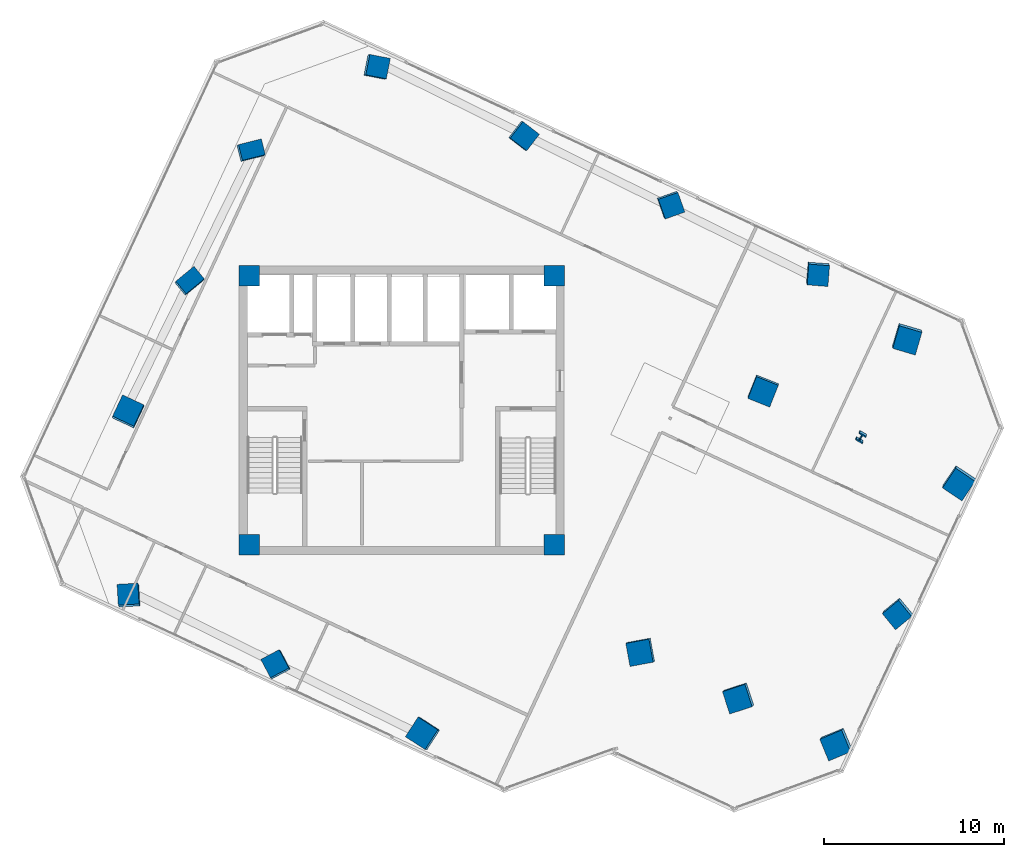
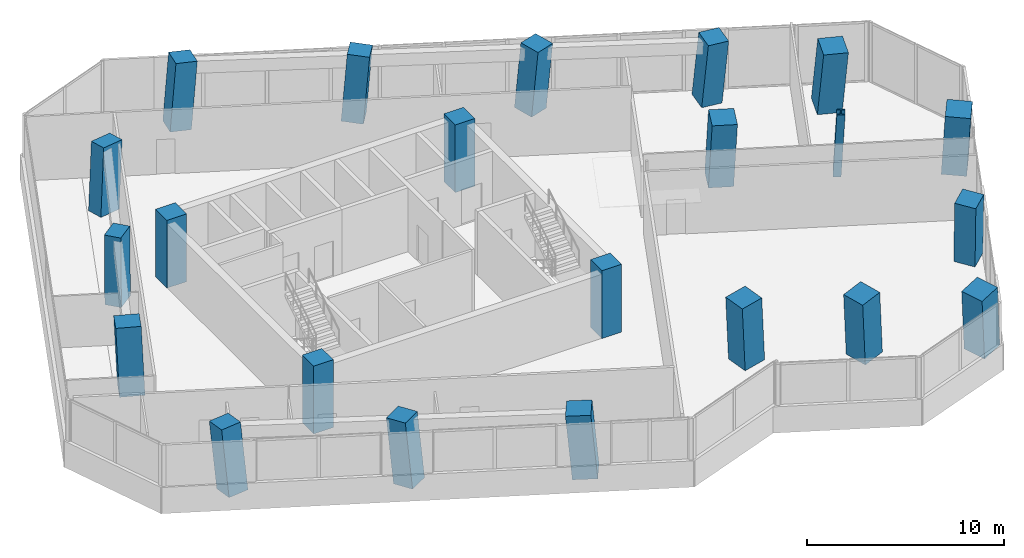
# One storey, part 1 of 23: 22 columns.
"""IFC4 building model written with IfcOpenShell, lengths in metres."""

from ifc_helpers import new_model, si_unit, direction, frame, origin, origin_2d, place, context, subcontext, project, spatial, rectangle, i_section, extrude, clip, halfspace, source, transform, mapped, material, material_profile, profile_set, type_object, element, save


model = new_model("IFC4")

# Units and contexts
model_context = context("Model", 3, precision=1e-05, world=origin(), true_north=direction((0.0, 1.0)))
body_context = subcontext(model_context, "Body", "Model", "MODEL_VIEW")
ifc_project = project(units=[si_unit("LENGTHUNIT", "METRE"), si_unit("AREAUNIT", "SQUARE_METRE"), si_unit("VOLUMEUNIT", "CUBIC_METRE"), si_unit("PLANEANGLEUNIT", "RADIAN"), si_unit("MASSUNIT", "GRAM", prefix="KILO")], contexts=[model_context])

# Site, building, storey
site_placement = place(None, origin())
site = spatial("IfcSite", under=ifc_project, at=site_placement, CompositionType="ELEMENT")
building_placement = place(site_placement, origin())
building = spatial("IfcBuilding", under=site, at=building_placement, Name="Torre Montelarca", CompositionType="ELEMENT")
storey_placement = place(building_placement, frame((0.0, 0.0, 158.199951171875)))
storey = spatial("IfcBuildingStorey", under=building, at=storey_placement, Name="L35", CompositionType="ELEMENT", Elevation=158.199951171875)

# Columns
ifc_material_1 = material(Name="Concrete C55/67", Category="concrete")
ifc_material_profile_1 = material_profile(ifc_material_1, rectangle(XDim=0.89990234375, YDim=1.300048828125, at=origin_2d()), Name="RC1300X900", Category="concrete")
ifc_profile_set_1 = profile_set([ifc_material_profile_1], Name="Concrete C55/67")
column_type_1 = type_object("IfcColumnType", Name="COL-PIL1300-EXT", PredefinedType="PILASTER", material=ifc_profile_set_1)
column_1_placement = place(storey_placement, frame((6.228759765625, 39.12109375, 0.0), z_axis=(0.037698062692, 0.078638969486, 0.996190126706), x_axis=(0.635262052189, -0.771416737954, 0.036855684135)))
element("IfcColumn", 1, at=column_1_placement, inside=storey, type_object=column_type_1, Name="L35 Column 1W/E", PredefinedType="PILASTER", context=body_context, shape_type="Clipping", body=[
    clip(clip(extrude(rectangle(XDim=0.89990234375, YDim=1.300048828125, at=origin_2d()), origin(), (0.0, 0.0, 1.0), 4.216064453125), halfspace(frame((0.0, 0.0, 0.06884765625), z_axis=(0.0, 0.0, -1.0), x_axis=(1.0, 0.0, 0.0)), False)), halfspace(frame((0.0, 0.0, 4.147216796875), z_axis=(0.0, 0.0, 1.0), x_axis=(1.0, 0.0, 0.0)), False)),
])
column_2_placement = place(storey_placement, frame((9.609619140625, 46.37158203125, 0.0), z_axis=(0.074984591615, 0.060635688281, 0.995339451809), x_axis=(0.242783747421, -0.969223981277, 0.040754461182)))
element("IfcColumn", 2, at=column_2_placement, inside=storey, type_object=column_type_1, Name="L35 Column 1W/F", PredefinedType="PILASTER", context=body_context, shape_type="Clipping", body=[
    clip(clip(extrude(rectangle(XDim=0.89990234375, YDim=1.300048828125, at=origin_2d()), origin(), (0.0, 0.0, 1.0), 4.2197265625), halfspace(frame((0.0, 0.0, 0.076171875), z_axis=(0.0, 0.0, -1.0), x_axis=(1.0, 0.0, 0.0)), False)), halfspace(frame((0.0, 0.0, 4.1435546875), z_axis=(0.0, 0.0, 1.0), x_axis=(1.0, 0.0, 0.0)), False)),
])
ifc_material_profile_2 = material_profile(ifc_material_1, rectangle(XDim=1.14990234375, YDim=1.14990234375, at=origin_2d()), Name="RC1150X1150", Category="concrete")
ifc_profile_set_2 = profile_set([ifc_material_profile_2], Name="Concrete C55/67")
column_type_2 = type_object("IfcColumnType", Name="COL-RC1150-EXT", PredefinedType="COLUMN", material=ifc_profile_set_2)
column_3_placement = place(storey_placement, frame((2.902099609375, 21.694091796875, 0.0), z_axis=(-0.052173508462, 0.096604768715, 0.993954447486), x_axis=(0.9970543434, 0.061070597403, 0.046400629729)))
element("IfcColumn", 3, at=column_3_placement, inside=storey, type_object=column_type_2, Name="L35 Column 2/CS", PredefinedType="COLUMN", context=body_context, shape_type="Clipping", body=[
    clip(clip(extrude(rectangle(XDim=1.14990234375, YDim=1.14990234375, at=origin_2d()), origin(), (0.0, 0.0, 1.0), 4.2255859375), halfspace(frame((0.0, 0.0, 0.085205078125), z_axis=(0.0, 0.0, -1.0), x_axis=(1.0, 0.0, 0.0)), False)), halfspace(frame((0.0, 0.0, 4.140380859375), z_axis=(0.0, 0.0, 1.0), x_axis=(1.0, 0.0, 0.0)), False)),
])
column_4_placement = place(storey_placement, frame((16.57373046875, 51.01318359375, 0.0), z_axis=(0.098540759891, 0.024403873635, 0.994833739673), x_axis=(-0.190238417306, -0.980800009902, 0.04290320684)))
element("IfcColumn", 4, at=column_4_placement, inside=storey, type_object=column_type_2, Name="L35 Column 2/GN", PredefinedType="COLUMN", context=body_context, shape_type="Clipping", body=[
    clip(clip(extrude(rectangle(XDim=1.14990234375, YDim=1.14990234375, at=origin_2d()), origin(), (0.0, 0.0, 1.0), 4.2216796875), halfspace(frame((0.0, 0.0, 0.07861328125), z_axis=(0.0, 0.0, -1.0), x_axis=(1.0, 0.0, 0.0)), False)), halfspace(frame((0.0, 0.0, 4.14306640625), z_axis=(0.0, 0.0, 1.0), x_axis=(1.0, 0.0, 0.0)), False)),
])
column_5_placement = place(storey_placement, frame((11.058837890625, 17.890625, 0.0), z_axis=(-0.072361701671, 0.054821225186, 0.995870683071), x_axis=(0.882762810031, 0.468249744812, 0.038366622345)))
element("IfcColumn", 5, at=column_5_placement, inside=storey, type_object=column_type_2, Name="L35 Column 3/CS", PredefinedType="COLUMN", context=body_context, shape_type="Clipping", body=[
    clip(clip(extrude(rectangle(XDim=1.14990234375, YDim=1.14990234375, at=origin_2d()), origin(), (0.0, 0.0, 1.0), 4.21728515625), halfspace(frame((0.0, 0.0, 0.0703125), z_axis=(0.0, 0.0, -1.0), x_axis=(1.0, 0.0, 0.0)), False)), halfspace(frame((0.0, 0.0, 4.14697265625), z_axis=(0.0, 0.0, 1.0), x_axis=(1.0, 0.0, 0.0)), False)),
])
column_6_placement = place(storey_placement, frame((24.730712890625, 47.209716796875, 0.0), z_axis=(0.078509951606, -0.017614040803, 0.996757710312), x_axis=(-0.609432467113, -0.792108426647, 0.034004535909)))
element("IfcColumn", 6, at=column_6_placement, inside=storey, type_object=column_type_2, Name="L35 Column 3/GN", PredefinedType="COLUMN", context=body_context, shape_type="Clipping", body=[
    clip(clip(extrude(rectangle(XDim=1.14990234375, YDim=1.14990234375, at=origin_2d()), origin(), (0.0, 0.0, 1.0), 4.213623046875), halfspace(frame((0.0, 0.0, 0.0625), z_axis=(0.0, 0.0, -1.0), x_axis=(1.0, 0.0, 0.0)), False)), halfspace(frame((0.0, 0.0, 4.151123046875), z_axis=(0.0, 0.0, 1.0), x_axis=(1.0, 0.0, 0.0)), False)),
])
column_7_placement = place(storey_placement, frame((32.887451171875, 43.40625, 0.0), z_axis=(0.058390097593, -0.059606557959, 0.996512746909), x_axis=(-0.942137163115, -0.333367736718, 0.035263550505)))
element("IfcColumn", 7, at=column_7_placement, inside=storey, type_object=column_type_2, Name="L35 Column 4/GN", PredefinedType="COLUMN", context=body_context, shape_type="Clipping", body=[
    clip(clip(extrude(rectangle(XDim=1.14990234375, YDim=1.14990234375, at=origin_2d()), origin(), (0.0, 0.0, 1.0), 4.214599609375), halfspace(frame((0.0, 0.0, 0.064697265625), z_axis=(0.0, 0.0, -1.0), x_axis=(1.0, 0.0, 0.0)), False)), halfspace(frame((0.0, 0.0, 4.14990234375), z_axis=(0.0, 0.0, 1.0), x_axis=(1.0, 0.0, 0.0)), False)),
])
column_8_placement = place(storey_placement, frame((41.044189453125, 39.6025390625, 0.0), z_axis=(0.038139756449, -0.101359292139, 0.994118530596), x_axis=(-0.996204703506, 0.074036702097, 0.045768498506)))
element("IfcColumn", 8, at=column_8_placement, inside=storey, type_object=column_type_2, Name="L35 Column 5/GN", PredefinedType="COLUMN", context=body_context, shape_type="Clipping", body=[
    clip(clip(extrude(rectangle(XDim=1.14990234375, YDim=1.14990234375, at=origin_2d()), origin(), (0.0, 0.0, 1.0), 4.224853515625), halfspace(frame((0.0, 0.0, 0.083984375), z_axis=(0.0, 0.0, -1.0), x_axis=(1.0, 0.0, 0.0)), False)), halfspace(frame((0.0, 0.0, 4.140869140625), z_axis=(0.0, 0.0, 1.0), x_axis=(1.0, 0.0, 0.0)), False)),
])
column_9_placement = place(storey_placement, frame((45.51708984375, 20.800537109375, 0.0), z_axis=(-0.058968527482, -0.122947076342, 0.990659744406), x_axis=(-0.636119850373, 0.769435288121, 0.05762701932)))
element("IfcColumn", 9, at=column_9_placement, inside=storey, type_object=column_type_2, Name="L35 Column 7/E", PredefinedType="COLUMN", context=body_context, shape_type="Clipping", body=[
    clip(clip(extrude(rectangle(XDim=1.14990234375, YDim=1.14990234375, at=origin_2d()), origin(), (0.0, 0.0, 1.0), 4.239501953125), halfspace(frame((0.0, 0.0, 0.10595703125), z_axis=(0.0, 0.0, -1.0), x_axis=(1.0, 0.0, 0.0)), False)), halfspace(frame((0.0, 0.0, 4.133544921875), z_axis=(0.0, 0.0, 1.0), x_axis=(1.0, 0.0, 0.0)), False)),
])
ifc_material_2 = material(Name="Concrete C70/85", Category="concrete")
ifc_material_profile_3 = material_profile(ifc_material_2, rectangle(XDim=1.300048828125, YDim=1.300048828125, at=origin_2d()), Name="RC1300X1300", Category="concrete")
ifc_profile_set_3 = profile_set([ifc_material_profile_3], Name="Concrete C70/85")
column_type_3 = type_object("IfcColumnType", Name="COL-RC1300", PredefinedType="COLUMN", material=ifc_profile_set_3)
for number, where, z_axis, x_axis, name in (
    (10, (31.260498046875, 18.62158203125, 0.0), (-0.069788190522, -0.049749423783, 0.996320532408), (-0.18322145328, 0.982404176345, 0.036220620606), "L35 Column 5/D"),
    (11, (38.0224609375, 33.12255859375, 0.0), (0.004864889576, -0.085598890399, 0.996317802115), (-0.928739514699, 0.368958004081, 0.036234031812), "L35 Column 5/F"),
):
    element("IfcColumn", number, at=place(storey_placement, frame(where, z_axis=z_axis, x_axis=x_axis)), inside=storey, type_object=column_type_3, Name=name, PredefinedType="COLUMN", context=body_context, shape_type="Clipping", body=[
        clip(clip(extrude(rectangle(XDim=1.300048828125, YDim=1.300048828125, at=origin_2d()), origin(), (0.0, 0.0, 1.0), 4.215576171875), halfspace(frame((0.0, 0.0, 0.074951171875), z_axis=(0.0, 0.0, -1.0), x_axis=(1.0, 0.0, 0.0)), False)), halfspace(frame((0.0, 0.0, 4.140625), z_axis=(0.0, 0.0, 1.0), x_axis=(1.0, 0.0, 0.0)), False)),
    ])
column_10_placement = place(storey_placement, frame((36.698486328125, 16.0859375, 0.0), z_axis=(-0.082991265624, -0.077562470239, 0.993527308654), x_axis=(-0.312067697366, 0.948846199102, 0.04800669443)))
element("IfcColumn", 12, at=column_10_placement, inside=storey, type_object=column_type_3, Name="L35 Column 6/D", PredefinedType="COLUMN", context=body_context, shape_type="Clipping", body=[
    clip(clip(extrude(rectangle(XDim=1.300048828125, YDim=1.300048828125, at=origin_2d()), origin(), (0.0, 0.0, 1.0), 4.227294921875), halfspace(frame((0.0, 0.0, 0.099365234375), z_axis=(0.0, 0.0, -1.0), x_axis=(1.0, 0.0, 0.0)), False)), halfspace(frame((0.0, 0.0, 4.1279296875), z_axis=(0.0, 0.0, 1.0), x_axis=(1.0, 0.0, 0.0)), False)),
])
column_11_placement = place(storey_placement, frame((45.99609375, 36.024658203125, 0.0), z_axis=(0.019313420734, -0.126430840804, 0.991787393685), x_axis=(-0.959209091599, 0.277482108063, 0.054051811235)))
element("IfcColumn", 13, at=column_11_placement, inside=storey, type_object=column_type_3, Name="L35 Column 6/G", PredefinedType="COLUMN", context=body_context, shape_type="Clipping", body=[
    clip(clip(extrude(rectangle(XDim=1.300048828125, YDim=1.300048828125, at=origin_2d()), origin(), (0.0, 0.0, 1.0), 4.234619140625), halfspace(frame((0.0, 0.0, 0.112060546875), z_axis=(0.0, 0.0, -1.0), x_axis=(1.0, 0.0, 0.0)), False)), halfspace(frame((0.0, 0.0, 4.12255859375), z_axis=(0.0, 0.0, 1.0), x_axis=(1.0, 0.0, 0.0)), False)),
])
ifc_material_profile_4 = material_profile(ifc_material_2, rectangle(XDim=1.300048828125, YDim=1.300048828125, at=origin_2d()), Name="RC1300X1300", Category="concrete")
ifc_profile_set_4 = profile_set([ifc_material_profile_4], Name="Concrete C70/85")
column_type_4 = type_object("IfcColumnType", Name="COL-RC1300-EXT", PredefinedType="COLUMN", material=ifc_profile_set_4)
column_12_placement = place(storey_placement, frame((19.2158203125, 14.087158203125, 0.0), z_axis=(-0.092542400719, 0.012790413107, 0.995626591349), x_axis=(0.540890321922, 0.84016595982, 0.039481889649)))
element("IfcColumn", 14, at=column_12_placement, inside=storey, type_object=column_type_4, Name="L35 Column 4/CS", PredefinedType="COLUMN", context=body_context, shape_type="Clipping", body=[
    clip(clip(extrude(rectangle(XDim=1.300048828125, YDim=1.300048828125, at=origin_2d()), origin(), (0.0, 0.0, 1.0), 4.218505859375), halfspace(frame((0.0, 0.0, 0.081787109375), z_axis=(0.0, 0.0, -1.0), x_axis=(1.0, 0.0, 0.0)), False)), halfspace(frame((0.0, 0.0, 4.13671875), z_axis=(0.0, 0.0, 1.0), x_axis=(1.0, 0.0, 0.0)), False)),
])
for number, where, z_axis, x_axis, name in (
    (15, (42.13623046875, 13.55029296875, 0.0), (-0.096030134675, -0.105063526612, 0.989818098748), (-0.386748392781, 0.920221221066, 0.06015467547), "L35 Column 7/D"),
    (16, (48.898193359375, 28.051025390625, 0.0), (-0.021864344018, -0.140622254685, 0.989821868797), (-0.831278676398, 0.552592535403, 0.060143594692), "L35 Column 7/F"),
):
    element("IfcColumn", number, at=place(storey_placement, frame(where, z_axis=z_axis, x_axis=x_axis)), inside=storey, type_object=column_type_4, Name=name, PredefinedType="COLUMN", context=body_context, shape_type="Clipping", body=[
        clip(clip(extrude(rectangle(XDim=1.300048828125, YDim=1.300048828125, at=origin_2d()), origin(), (0.0, 0.0, 1.0), 4.2431640625), halfspace(frame((0.0, 0.0, 0.125), z_axis=(0.0, 0.0, -1.0), x_axis=(1.0, 0.0, 0.0)), False)), halfspace(frame((0.0, 0.0, 4.1181640625), z_axis=(0.0, 0.0, 1.0), x_axis=(1.0, 0.0, 0.0)), False)),
    ])
column_13_placement = place(storey_placement, frame((2.847900390625, 31.87060546875, 0.0), z_axis=(0.000347150303, 0.096449925889, 0.995337777482), x_axis=(0.904787896664, -0.423907231175, 0.040761764052)))
element("IfcColumn", 17, at=column_13_placement, inside=storey, type_object=column_type_4, Name="L35 Column 1W/D", PredefinedType="COLUMN", context=body_context, shape_type="Clipping", body=[
    clip(clip(extrude(rectangle(XDim=1.300048828125, YDim=1.300048828125, at=origin_2d()), origin(), (0.0, 0.0, 1.0), 4.2197265625), halfspace(frame((0.0, 0.0, 0.08447265625), z_axis=(0.0, 0.0, -1.0), x_axis=(1.0, 0.0, 0.0)), False)), halfspace(frame((0.0, 0.0, 4.13525390625), z_axis=(0.0, 0.0, 1.0), x_axis=(1.0, 0.0, 0.0)), False)),
])
ifc_material_3 = material(Name="Steel ASTM A992 Grade 50", Category="steel")
ifc_material_profile_5 = material_profile(ifc_material_3, i_section(OverallWidth=0.4208984375, OverallDepth=0.465087890625, WebThickness=0.044921875, FlangeThickness=0.072265625, FilletRadius=0.014892578125, at=origin_2d()), Name="W360X592", Category="steel")
ifc_profile_set_5 = profile_set([ifc_material_profile_5], Name="Steel ASTM A992 Grade 50")
column_type_5 = type_object("IfcColumnType", Name="COL-W360X592", PredefinedType="COLUMN", material=ifc_profile_set_5)
column_14_placement = place(storey_placement, frame((43.460205078125, 30.5869140625, 0.0), z_axis=(-0.008489733, -0.113254193287, 0.993529774157), x_axis=(-0.87238491172, 0.486457395979, 0.04799758016)))
element("IfcColumn", 18, at=column_14_placement, inside=storey, type_object=column_type_5, Name="L35 Column 6/F", PredefinedType="COLUMN", context=body_context, shape_type="Clipping", body=[
    clip(clip(extrude(i_section(OverallWidth=0.4208984375, OverallDepth=0.465087890625, WebThickness=0.044921875, FlangeThickness=0.072265625, FilletRadius=0.014892578125, at=origin_2d()), origin(), (0.0, 0.0, 1.0), 4.227294921875), halfspace(frame((0.0, 0.0, 0.034912109375), z_axis=(0.0, 0.0, -1.0), x_axis=(1.0, 0.0, 0.0)), False)), halfspace(frame((0.0, 0.0, 4.1923828125), z_axis=(0.0, 0.0, 1.0), x_axis=(1.0, 0.0, 0.0)), False)),
])
ifc_material_profile_6 = material_profile(ifc_material_1, rectangle(XDim=1.14990234375, YDim=1.14990234375, at=origin_2d()), Name="RC1150X1150", Category="concrete")
ifc_profile_set_6 = profile_set([ifc_material_profile_6], Name="Concrete C55/67")
column_type_6 = type_object("IfcColumnType", Name="COL-RC1150", PredefinedType="COLUMN", material=ifc_profile_set_6)
shared_shape = source(origin(), body_context, "Body", "SweptSolid", [
    extrude(rectangle(XDim=1.14990234375, YDim=1.14990234375, at=origin_2d()), origin(), (0.0, 0.0, 1.0), 4.198486328125),
])
for number, where, z_axis, x_axis, name in (
    (19, (9.550048828125, 24.550048828125, 0.000732421875), (0.0, 0.0, 1.0), (1.0, 0.0, 0.0), "L35 Plumb Core Corner Column 2D"),
    (20, (26.449951171875, 24.550048828125, 0.000732421875), (0.0, 0.0, 1.0), (1.0, 0.0, 0.0), "L35 Plumb Core Corner Column 4D"),
    (21, (9.550048828125, 39.449951171875, 0.000732421875), (0.0, 0.0, 1.0), (1.0, 0.0, 0.0), "L35 Plumb Core Corner Column 2F"),
    (22, (26.449951171875, 39.449951171875, 0.000732421875), (0.0, 0.0, 1.0), (1.0, 0.0, 0.0), "L35 Plumb Core Corner Column 4F"),
):
    element("IfcColumn", number, at=place(storey_placement, frame(where, z_axis=z_axis, x_axis=x_axis)), inside=storey, type_object=column_type_6, Name=name, PredefinedType="COLUMN", context=body_context, shape_type="MappedRepresentation", body=[
        mapped(shared_shape, transform((0.0, 0.0, 0.0), scale=1.0)),
    ])

save(model, "model.ifc")
